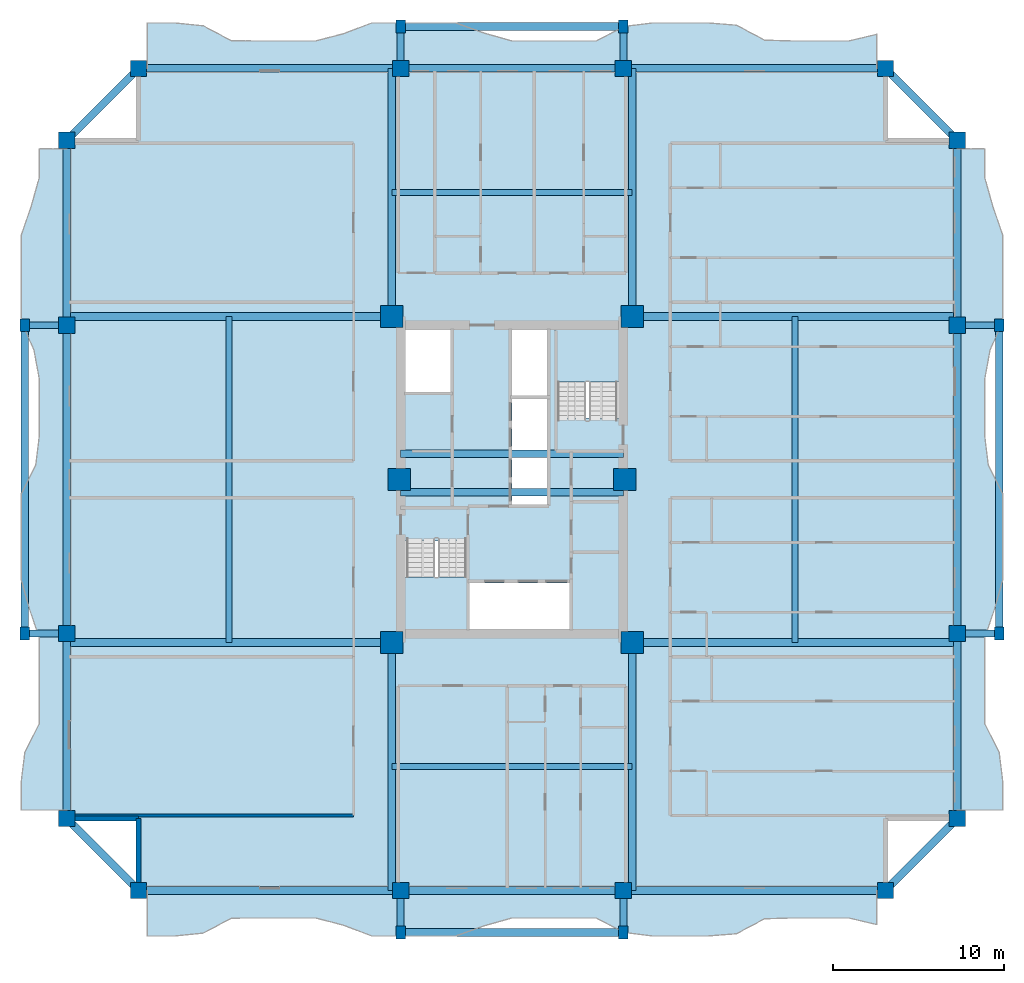
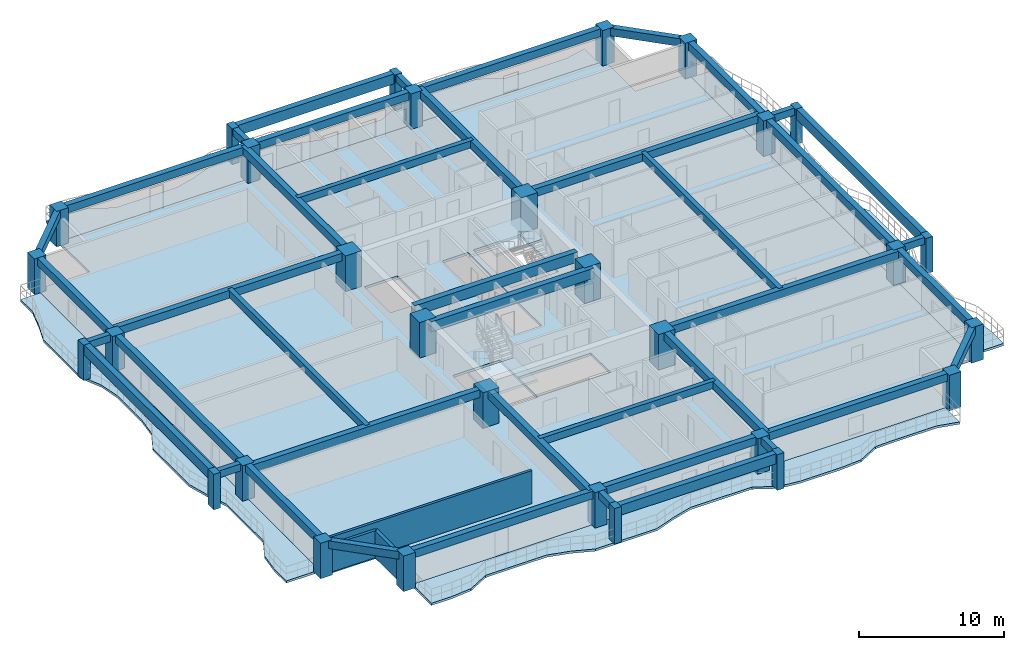
# One storey, part 1 of 12: 42 beams, 30 columns, 7 slabs, 3 walls, 2 elements without a shape of their own.
"""IFC4 building model written with IfcOpenShell, lengths in metres."""

from ifc_helpers import new_model, si_unit, direction, frame, frame_2d, origin, origin_2d, place, context, subcontext, project, spatial, polyline, rectangle, outline, extrude, source, transform, mapped, material, layer, layer_set, material_profile, profile_set, type_object, element, aggregate, save


model = new_model("IFC4")

# Units and contexts
model_context = context("Model", 3, precision=1e-05, world=origin(), true_north=direction((0.0, 1.0)))
body_context = subcontext(model_context, "Body", "Model", "MODEL_VIEW")
ifc_project = project(units=[si_unit("LENGTHUNIT", "METRE"), si_unit("AREAUNIT", "SQUARE_METRE"), si_unit("VOLUMEUNIT", "CUBIC_METRE"), si_unit("PLANEANGLEUNIT", "RADIAN"), si_unit("MASSUNIT", "GRAM", prefix="KILO")], contexts=[model_context])

# Site, building, storey
site_placement = place(None, origin())
site = spatial("IfcSite", under=ifc_project, at=site_placement, CompositionType="ELEMENT")
building_placement = place(site_placement, origin())
building = spatial("IfcBuilding", under=site, at=building_placement, Name="Saelheon Loggia Tower", CompositionType="ELEMENT")
storey_placement = place(building_placement, frame((0.0, 0.0, 95.85009765625)))
storey = spatial("IfcBuildingStorey", under=building, at=storey_placement, Name="L30", CompositionType="ELEMENT", Elevation=95.85009765625)

# Columns
ifc_material_1 = material(Name="Precast Concrete C45/55", Category="concrete")
ifc_material_profile_1 = material_profile(ifc_material_1, rectangle(XDim=0.550048828125, YDim=0.75, at=origin_2d()), Name="RC-550x750")
ifc_profile_set_1 = profile_set([ifc_material_profile_1], Name="Precast Concrete C45/55")
column_type_1 = type_object("IfcColumnType", Name="Col_Loggia_Pilaster_750", PredefinedType="PILASTER", material=ifc_profile_set_1)
shared_shape_1 = source(origin(), body_context, "Body", "SweptSolid", [
    extrude(rectangle(XDim=0.550048828125, YDim=0.75, at=origin_2d()), origin(), (0.0, 0.0, 1.0), 3.0),
])
for number, where, z_axis, x_axis, name in (
    (1, (31.5, 0.550048828125, 0.0), (0.0, 0.0, 1.0), (1.0, 0.0, 0.0), "L30 Loggia Frame Pilaster LP-S1"),
    (2, (44.5, 0.550048828125, 0.0), (0.0, 0.0, 1.0), (1.0, 0.0, 0.0), "L30 Loggia Frame Pilaster LP-S2"),
    (3, (31.5, 53.449951171875, 0.0), (0.0, 0.0, 1.0), (1.0, 0.0, 0.0), "L30 Loggia Frame Pilaster LP-N1"),
    (4, (44.5, 53.449951171875, 0.0), (0.0, 0.0, 1.0), (1.0, 0.0, 0.0), "L30 Loggia Frame Pilaster LP-N2"),
    (5, (66.449951171875, 18.0, 0.0), (0.0, 0.0, 1.0), (1.0, 0.0, 0.0), "L30 Loggia Frame Pilaster LP-E1"),
    (6, (66.449951171875, 36.0, 0.0), (0.0, 0.0, 1.0), (1.0, 0.0, 0.0), "L30 Loggia Frame Pilaster LP-E2"),
    (7, (9.550048828125, 18.0, 0.0), (0.0, 0.0, 1.0), (1.0, 0.0, 0.0), "L30 Loggia Frame Pilaster LP-W1"),
    (8, (9.550048828125, 36.0, 0.0), (0.0, 0.0, 1.0), (1.0, 0.0, 0.0), "L30 Loggia Frame Pilaster LP-W2"),
):
    element("IfcColumn", number, at=place(storey_placement, frame(where, z_axis=z_axis, x_axis=x_axis)), inside=storey, type_object=column_type_1, Name=name, PredefinedType="PILASTER", context=body_context, shape_type="MappedRepresentation", body=[
        mapped(shared_shape_1, transform((0.0, 0.0, 0.0), scale=1.0)),
    ])
ifc_material_2 = material(Name="Concrete C60/75", Category="concrete")
ifc_material_profile_2 = material_profile(ifc_material_2, rectangle(XDim=1.300048828125, YDim=1.300048828125, at=origin_2d()), Name="RC-1300x1300")
ifc_profile_set_2 = profile_set([ifc_material_profile_2], Name="Concrete C60/75")
column_type_2 = type_object("IfcColumnType", Name="Col_Core_RC1300", PredefinedType="COLUMN", material=ifc_profile_set_2)
shared_shape_2 = source(origin(), body_context, "Body", "SweptSolid", [
    extrude(rectangle(XDim=1.300048828125, YDim=1.300048828125, at=origin_2d()), origin(), (0.0, 0.0, 1.0), 3.0),
])
for number, where, z_axis, x_axis, name in (
    (9, (30.97998046875, 17.47998046875, 0.0), (0.0, 0.0, 1.0), (1.0, 0.0, 0.0), "L30 Core Column CR-SW"),
    (10, (45.02001953125, 17.47998046875, 0.0), (0.0, 0.0, 1.0), (1.0, 0.0, 0.0), "L30 Core Column CR-SE"),
    (11, (30.97998046875, 36.52001953125, 0.0), (0.0, 0.0, 1.0), (1.0, 0.0, 0.0), "L30 Core Column CR-NW"),
    (12, (45.02001953125, 36.52001953125, 0.0), (0.0, 0.0, 1.0), (1.0, 0.0, 0.0), "L30 Core Column CR-NE"),
    (13, (31.419921875, 27.0, 0.0), (0.0, 0.0, 1.0), (1.0, 0.0, 0.0), "L30 Core Column CR-MW"),
    (14, (44.580078125, 27.0, 0.0), (0.0, 0.0, 1.0), (1.0, 0.0, 0.0), "L30 Core Column CR-ME"),
):
    element("IfcColumn", number, at=place(storey_placement, frame(where, z_axis=z_axis, x_axis=x_axis)), inside=storey, type_object=column_type_2, Name=name, PredefinedType="COLUMN", context=body_context, shape_type="MappedRepresentation", body=[
        mapped(shared_shape_2, transform((0.0, 0.0, 0.0), scale=1.0)),
    ])
ifc_material_3 = material(Name="Concrete C50/60", Category="concrete")
ifc_material_profile_3 = material_profile(ifc_material_3, rectangle(XDim=0.949951171875, YDim=0.949951171875, at=origin_2d()), Name="RC-950x950")
ifc_profile_set_3 = profile_set([ifc_material_profile_3], Name="Concrete C50/60")
column_type_3 = type_object("IfcColumnType", Name="Col_Perim_RC950", PredefinedType="COLUMN", material=ifc_profile_set_3)
shared_shape_3 = source(origin(), body_context, "Body", "SweptSolid", [
    extrude(rectangle(XDim=0.949951171875, YDim=0.949951171875, at=origin_2d()), origin(), (0.0, 0.0, 1.0), 3.0),
])
for number, where, z_axis, x_axis, name in (
    (15, (16.199951171875, 3.0, 0.0), (0.0, 0.0, 1.0), (1.0, 0.0, 0.0), "L30 Perimeter Column TP-S1"),
    (16, (31.5, 3.0, 0.0), (0.0, 0.0, 1.0), (1.0, 0.0, 0.0), "L30 Perimeter Column TP-SA"),
    (17, (44.5, 3.0, 0.0), (0.0, 0.0, 1.0), (1.0, 0.0, 0.0), "L30 Perimeter Column TP-SB"),
    (18, (59.800048828125, 3.0, 0.0), (0.0, 0.0, 1.0), (1.0, 0.0, 0.0), "L30 Perimeter Column TP-S2"),
    (19, (64.0, 7.199951171875, 0.0), (0.0, 0.0, 1.0), (1.0, 0.0, 0.0), "L30 Perimeter Column TP-E1"),
    (20, (64.0, 18.0, 0.0), (0.0, 0.0, 1.0), (1.0, 0.0, 0.0), "L30 Perimeter Column TP-EA"),
    (21, (64.0, 36.0, 0.0), (0.0, 0.0, 1.0), (1.0, 0.0, 0.0), "L30 Perimeter Column TP-EB"),
    (22, (64.0, 46.800048828125, 0.0), (0.0, 0.0, 1.0), (1.0, 0.0, 0.0), "L30 Perimeter Column TP-E2"),
    (23, (59.800048828125, 51.0, 0.0), (0.0, 0.0, 1.0), (1.0, 0.0, 0.0), "L30 Perimeter Column TP-N2"),
    (24, (44.5, 51.0, 0.0), (0.0, 0.0, 1.0), (1.0, 0.0, 0.0), "L30 Perimeter Column TP-NB"),
    (25, (31.5, 51.0, 0.0), (0.0, 0.0, 1.0), (1.0, 0.0, 0.0), "L30 Perimeter Column TP-NA"),
    (26, (16.199951171875, 51.0, 0.0), (0.0, 0.0, 1.0), (1.0, 0.0, 0.0), "L30 Perimeter Column TP-N1"),
    (27, (12.0, 46.800048828125, 0.0), (0.0, 0.0, 1.0), (1.0, 0.0, 0.0), "L30 Perimeter Column TP-W2"),
    (28, (12.0, 36.0, 0.0), (0.0, 0.0, 1.0), (1.0, 0.0, 0.0), "L30 Perimeter Column TP-WB"),
    (29, (12.0, 18.0, 0.0), (0.0, 0.0, 1.0), (1.0, 0.0, 0.0), "L30 Perimeter Column TP-WA"),
    (30, (12.0, 7.199951171875, 0.0), (0.0, 0.0, 1.0), (1.0, 0.0, 0.0), "L30 Perimeter Column TP-W1"),
):
    element("IfcColumn", number, at=place(storey_placement, frame(where, z_axis=z_axis, x_axis=x_axis)), inside=storey, type_object=column_type_3, Name=name, PredefinedType="COLUMN", context=body_context, shape_type="MappedRepresentation", body=[
        mapped(shared_shape_3, transform((0.0, 0.0, 0.0), scale=1.0)),
    ])

# Beams
ifc_material_profile_4 = material_profile(ifc_material_3, rectangle(XDim=0.449951171875, YDim=0.85009765625, at=origin_2d()), Name="RC-450x850")
ifc_profile_set_4 = profile_set([ifc_material_profile_4], Name="Concrete C50/60")
beam_type_1 = type_object("IfcBeamType", Name="Beam_CoreLintel_RC450x850", PredefinedType="LINTEL", material=ifc_profile_set_4)
shared_shape_4 = source(origin(), body_context, "Body", "SweptSolid", [
    extrude(rectangle(XDim=0.449951171875, YDim=0.85009765625, at=origin_2d()), origin(), (0.0, 0.0, 1.0), 13.0),
])
for number, where, z_axis, x_axis, name in (
    (31, (31.5, 26.25, 2.574951171875), (1.0, 0.0, 0.0), (0.0, 1.0, 0.0), "L30 Core Coupling Lintel 1"),
    (32, (31.5, 28.5, 2.574951171875), (1.0, 0.0, 0.0), (0.0, 1.0, 0.0), "L30 Core Coupling Lintel 2"),
):
    element("IfcBeam", number, at=place(storey_placement, frame(where, z_axis=z_axis, x_axis=x_axis)), inside=storey, type_object=beam_type_1, Name=name, PredefinedType="LINTEL", context=body_context, shape_type="MappedRepresentation", body=[
        mapped(shared_shape_4, transform((0.0, 0.0, 0.0), scale=1.0)),
    ])
ifc_material_profile_5 = material_profile(ifc_material_1, rectangle(XDim=0.449951171875, YDim=0.85009765625, at=origin_2d()), Name="RC-450x850")
ifc_profile_set_5 = profile_set([ifc_material_profile_5], Name="Precast Concrete C45/55")
beam_type_2 = type_object("IfcBeamType", Name="Beam_LoggiaSpandrel_RC450x850", PredefinedType="SPANDREL", material=ifc_profile_set_5)
for number, where, z_axis, x_axis, name in (
    (33, (31.5, 0.550048828125, 2.574951171875), (1.0, 0.0, 0.0), (0.0, 1.0, 0.0), "L30 Loggia Spandrel Beam S"),
    (34, (31.5, 53.449951171875, 2.574951171875), (1.0, 0.0, 0.0), (0.0, 1.0, 0.0), "L30 Loggia Spandrel Beam N"),
):
    element("IfcBeam", number, at=place(storey_placement, frame(where, z_axis=z_axis, x_axis=x_axis)), inside=storey, type_object=beam_type_2, Name=name, PredefinedType="SPANDREL", context=body_context, shape_type="MappedRepresentation", body=[
        mapped(shared_shape_4, transform((0.0, 0.0, 0.0), scale=1.0)),
    ])
ifc_material_profile_6 = material_profile(ifc_material_1, rectangle(XDim=0.39990234375, YDim=0.60009765625, at=origin_2d()), Name="RC-400x600")
ifc_profile_set_6 = profile_set([ifc_material_profile_6], Name="Precast Concrete C45/55")
beam_type_3 = type_object("IfcBeamType", Name="Beam_LoggiaTie_RC400x600", PredefinedType="BEAM", material=ifc_profile_set_6)
shared_shape_5 = source(origin(), body_context, "Body", "SweptSolid", [
    extrude(rectangle(XDim=0.39990234375, YDim=0.60009765625, at=origin_2d()), origin(), (0.0, 0.0, 1.0), 2.449951171875),
])
for number, where, z_axis, x_axis, name in (
    (35, (31.5, 3.0, 2.699951171875), (0.0, -1.0, 0.0), (1.0, 0.0, 0.0), "L30 Loggia Frame Tie Beam LP-S1"),
    (36, (44.5, 3.0, 2.699951171875), (0.0, -1.0, 0.0), (1.0, 0.0, 0.0), "L30 Loggia Frame Tie Beam LP-S2"),
    (37, (31.5, 51.0, 2.699951171875), (0.0, 1.0, 0.0), (-1.0, 0.0, 0.0), "L30 Loggia Frame Tie Beam LP-N1"),
    (38, (44.5, 51.0, 2.699951171875), (0.0, 1.0, 0.0), (-1.0, 0.0, 0.0), "L30 Loggia Frame Tie Beam LP-N2"),
    (39, (64.0, 18.0, 2.699951171875), (1.0, 0.0, 0.0), (0.0, 1.0, 0.0), "L30 Loggia Frame Tie Beam LP-E1"),
    (40, (64.0, 36.0, 2.699951171875), (1.0, 0.0, 0.0), (0.0, 1.0, 0.0), "L30 Loggia Frame Tie Beam LP-E2"),
    (41, (12.0, 18.0, 2.699951171875), (-1.0, 0.0, 0.0), (0.0, -1.0, 0.0), "L30 Loggia Frame Tie Beam LP-W1"),
    (42, (12.0, 36.0, 2.699951171875), (-1.0, 0.0, 0.0), (0.0, -1.0, 0.0), "L30 Loggia Frame Tie Beam LP-W2"),
):
    element("IfcBeam", number, at=place(storey_placement, frame(where, z_axis=z_axis, x_axis=x_axis)), inside=storey, type_object=beam_type_3, Name=name, PredefinedType="BEAM", context=body_context, shape_type="MappedRepresentation", body=[
        mapped(shared_shape_5, transform((0.0, 0.0, 0.0), scale=1.0)),
    ])
shared_shape_6 = source(origin(), body_context, "Body", "SweptSolid", [
    extrude(rectangle(XDim=0.449951171875, YDim=0.85009765625, at=origin_2d()), origin(), (0.0, 0.0, 1.0), 18.0),
])
for number, where, z_axis, x_axis, name in (
    (43, (66.449951171875, 18.0, 2.574951171875), (0.0, 1.0, 0.0), (-1.0, 0.0, 0.0), "L30 Loggia Spandrel Beam E"),
    (44, (9.550048828125, 18.0, 2.574951171875), (0.0, 1.0, 0.0), (-1.0, 0.0, 0.0), "L30 Loggia Spandrel Beam W"),
):
    element("IfcBeam", number, at=place(storey_placement, frame(where, z_axis=z_axis, x_axis=x_axis)), inside=storey, type_object=beam_type_2, Name=name, PredefinedType="SPANDREL", context=body_context, shape_type="MappedRepresentation", body=[
        mapped(shared_shape_6, transform((0.0, 0.0, 0.0), scale=1.0)),
    ])
ifc_material_4 = material(Name="Concrete C45/55", Category="concrete")
ifc_material_profile_7 = material_profile(ifc_material_4, rectangle(XDim=0.35009765625, YDim=0.60009765625, at=origin_2d()), Name="RC-350x600")
ifc_profile_set_7 = profile_set([ifc_material_profile_7], Name="Concrete C45/55")
beam_type_4 = type_object("IfcBeamType", Name="Beam_AmenityJoist_RC350x600", PredefinedType="JOIST", material=ifc_profile_set_7)
shared_shape_7 = source(origin(), body_context, "Body", "SweptSolid", [
    extrude(rectangle(XDim=0.35009765625, YDim=0.60009765625, at=origin_2d()), origin(), (0.0, 0.0, 1.0), 14.0400390625),
])
for number, where, z_axis, x_axis, name in (
    (45, (30.97998046875, 10.239990234375, 2.699951171875), (1.0, 0.0, 0.0), (0.0, 1.0, 0.0), "L30 South Floor Joist"),
    (46, (30.97998046875, 43.760009765625, 2.699951171875), (1.0, 0.0, 0.0), (0.0, 1.0, 0.0), "L30 North Floor Joist"),
):
    element("IfcBeam", number, at=place(storey_placement, frame(where, z_axis=z_axis, x_axis=x_axis)), inside=storey, type_object=beam_type_4, Name=name, PredefinedType="JOIST", context=body_context, shape_type="MappedRepresentation", body=[
        mapped(shared_shape_7, transform((0.0, 0.0, 0.0), scale=1.0)),
    ])
shared_shape_8 = source(origin(), body_context, "Body", "SweptSolid", [
    extrude(rectangle(XDim=0.35009765625, YDim=0.60009765625, at=origin_2d()), origin(), (0.0, 0.0, 1.0), 19.0400390625),
])
for number, where, z_axis, x_axis, name in (
    (47, (21.489990234375, 17.47998046875, 2.699951171875), (0.0, 1.0, 0.0), (-1.0, 0.0, 0.0), "L30 West Floor Joist"),
    (48, (54.510009765625, 17.47998046875, 2.699951171875), (0.0, 1.0, 0.0), (-1.0, 0.0, 0.0), "L30 East Floor Joist"),
):
    element("IfcBeam", number, at=place(storey_placement, frame(where, z_axis=z_axis, x_axis=x_axis)), inside=storey, type_object=beam_type_4, Name=name, PredefinedType="JOIST", context=body_context, shape_type="MappedRepresentation", body=[
        mapped(shared_shape_8, transform((0.0, 0.0, 0.0), scale=1.0)),
    ])
ifc_material_5 = material(Name="Concrete C40/50", Category="concrete")
ifc_material_profile_8 = material_profile(ifc_material_5, rectangle(XDim=0.449951171875, YDim=0.64990234375, at=origin_2d()), Name="RC-450x650")
ifc_profile_set_8 = profile_set([ifc_material_profile_8], Name="Concrete C40/50")
beam_type_5 = type_object("IfcBeamType", Name="Beam_PerimTower_RC450x650", PredefinedType="BEAM", material=ifc_profile_set_8)
shared_shape_9 = source(origin(), body_context, "Body", "SweptSolid", [
    extrude(rectangle(XDim=0.449951171875, YDim=0.64990234375, at=origin_2d()), origin(), (0.0, 0.0, 1.0), 15.300048828125),
])
for number, where, z_axis, x_axis, name in (
    (49, (16.199951171875, 3.0, 2.6748046875), (1.0, 0.0, 0.0), (0.0, 1.0, 0.0), "L30 Perimeter Frame Girder 01"),
    (50, (44.5, 3.0, 2.6748046875), (1.0, 0.0, 0.0), (0.0, 1.0, 0.0), "L30 Perimeter Frame Girder 03"),
    (51, (59.800048828125, 51.0, 2.6748046875), (-1.0, 0.0, 0.0), (0.0, -1.0, 0.0), "L30 Perimeter Frame Girder 09"),
    (52, (31.5, 51.0, 2.6748046875), (-1.0, 0.0, 0.0), (0.0, -1.0, 0.0), "L30 Perimeter Frame Girder 11"),
):
    element("IfcBeam", number, at=place(storey_placement, frame(where, z_axis=z_axis, x_axis=x_axis)), inside=storey, type_object=beam_type_5, Name=name, PredefinedType="BEAM", context=body_context, shape_type="MappedRepresentation", body=[
        mapped(shared_shape_9, transform((0.0, 0.0, 0.0), scale=1.0)),
    ])
shared_shape_10 = source(origin(), body_context, "Body", "SweptSolid", [
    extrude(rectangle(XDim=0.449951171875, YDim=0.64990234375, at=origin_2d()), origin(), (0.0, 0.0, 1.0), 13.0),
])
for number, where, z_axis, x_axis, name in (
    (53, (31.5, 3.0, 2.6748046875), (1.0, 0.0, 0.0), (0.0, 1.0, 0.0), "L30 Perimeter Frame Girder 02"),
    (54, (44.5, 51.0, 2.6748046875), (-1.0, 0.0, 0.0), (0.0, -1.0, 0.0), "L30 Perimeter Frame Girder 10"),
):
    element("IfcBeam", number, at=place(storey_placement, frame(where, z_axis=z_axis, x_axis=x_axis)), inside=storey, type_object=beam_type_5, Name=name, PredefinedType="BEAM", context=body_context, shape_type="MappedRepresentation", body=[
        mapped(shared_shape_10, transform((0.0, 0.0, 0.0), scale=1.0)),
    ])
shared_shape_11 = source(origin(), body_context, "Body", "SweptSolid", [
    extrude(rectangle(XDim=0.449951171875, YDim=0.64990234375, at=origin_2d()), origin(), (0.0, 0.0, 1.0), 5.939697265625),
])
for number, where, z_axis, x_axis, name in (
    (55, (59.800048828125, 3.0, 2.6748046875), (0.707106781187, 0.707106781187, 0.0), (-0.707106781187, 0.707106781187, 0.0), "L30 Perimeter Frame Girder 04"),
    (56, (64.0, 46.800048828125, 2.6748046875), (-0.707106781187, 0.707106781187, 0.0), (-0.707106781187, -0.707106781187, 0.0), "L30 Perimeter Frame Girder 08"),
    (57, (16.199951171875, 51.0, 2.6748046875), (-0.707106781187, -0.707106781187, 0.0), (0.707106781187, -0.707106781187, 0.0), "L30 Perimeter Frame Girder 12"),
    (58, (12.0, 7.199951171875, 2.6748046875), (0.707106781187, -0.707106781187, 0.0), (0.707106781187, 0.707106781187, 0.0), "L30 Perimeter Frame Girder 16"),
):
    element("IfcBeam", number, at=place(storey_placement, frame(where, z_axis=z_axis, x_axis=x_axis)), inside=storey, type_object=beam_type_5, Name=name, PredefinedType="BEAM", context=body_context, shape_type="MappedRepresentation", body=[
        mapped(shared_shape_11, transform((0.0, 0.0, 0.0), scale=1.0)),
    ])
shared_shape_12 = source(origin(), body_context, "Body", "SweptSolid", [
    extrude(rectangle(XDim=0.449951171875, YDim=0.64990234375, at=origin_2d()), origin(), (0.0, 0.0, 1.0), 10.800048828125),
])
for number, where, z_axis, x_axis, name in (
    (59, (64.0, 7.199951171875, 2.6748046875), (0.0, 1.0, 0.0), (-1.0, 0.0, 0.0), "L30 Perimeter Frame Girder 05"),
    (60, (64.0, 36.0, 2.6748046875), (0.0, 1.0, 0.0), (-1.0, 0.0, 0.0), "L30 Perimeter Frame Girder 07"),
    (61, (12.0, 46.800048828125, 2.6748046875), (0.0, -1.0, 0.0), (1.0, 0.0, 0.0), "L30 Perimeter Frame Girder 13"),
    (62, (12.0, 18.0, 2.6748046875), (0.0, -1.0, 0.0), (1.0, 0.0, 0.0), "L30 Perimeter Frame Girder 15"),
):
    element("IfcBeam", number, at=place(storey_placement, frame(where, z_axis=z_axis, x_axis=x_axis)), inside=storey, type_object=beam_type_5, Name=name, PredefinedType="BEAM", context=body_context, shape_type="MappedRepresentation", body=[
        mapped(shared_shape_12, transform((0.0, 0.0, 0.0), scale=1.0)),
    ])
shared_shape_13 = source(origin(), body_context, "Body", "SweptSolid", [
    extrude(rectangle(XDim=0.449951171875, YDim=0.64990234375, at=origin_2d()), origin(), (0.0, 0.0, 1.0), 18.0),
])
for number, where, z_axis, x_axis, name in (
    (63, (64.0, 18.0, 2.6748046875), (0.0, 1.0, 0.0), (-1.0, 0.0, 0.0), "L30 Perimeter Frame Girder 06"),
    (64, (12.0, 36.0, 2.6748046875), (0.0, -1.0, 0.0), (1.0, 0.0, 0.0), "L30 Perimeter Frame Girder 14"),
):
    element("IfcBeam", number, at=place(storey_placement, frame(where, z_axis=z_axis, x_axis=x_axis)), inside=storey, type_object=beam_type_5, Name=name, PredefinedType="BEAM", context=body_context, shape_type="MappedRepresentation", body=[
        mapped(shared_shape_13, transform((0.0, 0.0, 0.0), scale=1.0)),
    ])
ifc_material_profile_9 = material_profile(ifc_material_5, rectangle(XDim=0.449951171875, YDim=0.64990234375, at=origin_2d()), Name="RC-450x650")
ifc_profile_set_9 = profile_set([ifc_material_profile_9], Name="Concrete C40/50")
beam_type_6 = type_object("IfcBeamType", Name="Beam_TowerGirder_RC450x650", PredefinedType="BEAM", material=ifc_profile_set_9)
shared_shape_14 = source(origin(), body_context, "Body", "SweptSolid", [
    extrude(rectangle(XDim=0.449951171875, YDim=0.64990234375, at=origin_2d()), origin(), (0.0, 0.0, 1.0), 14.47998046875),
])
for number, where, z_axis, x_axis, name in (
    (65, (30.97998046875, 17.47998046875, 2.6748046875), (0.0, -1.0, 0.0), (1.0, 0.0, 0.0), "L30 Radial Floor Girder RAD-SW-S"),
    (66, (45.02001953125, 17.47998046875, 2.6748046875), (0.0, -1.0, 0.0), (1.0, 0.0, 0.0), "L30 Radial Floor Girder RAD-SE-S"),
    (67, (30.97998046875, 36.52001953125, 2.6748046875), (0.0, 1.0, 0.0), (-1.0, 0.0, 0.0), "L30 Radial Floor Girder RAD-NW-N"),
    (68, (45.02001953125, 36.52001953125, 2.6748046875), (0.0, 1.0, 0.0), (-1.0, 0.0, 0.0), "L30 Radial Floor Girder RAD-NE-N"),
):
    element("IfcBeam", number, at=place(storey_placement, frame(where, z_axis=z_axis, x_axis=x_axis)), inside=storey, type_object=beam_type_6, Name=name, PredefinedType="BEAM", context=body_context, shape_type="MappedRepresentation", body=[
        mapped(shared_shape_14, transform((0.0, 0.0, 0.0), scale=1.0)),
    ])
shared_shape_15 = source(origin(), body_context, "Body", "SweptSolid", [
    extrude(rectangle(XDim=0.449951171875, YDim=0.64990234375, at=origin_2d()), origin(), (0.0, 0.0, 1.0), 18.97998046875),
])
for number, where, z_axis, x_axis, name in (
    (69, (30.97998046875, 17.47998046875, 2.6748046875), (-1.0, 0.0, 0.0), (0.0, -1.0, 0.0), "L30 Radial Floor Girder RAD-SW-W"),
    (70, (30.97998046875, 36.52001953125, 2.6748046875), (-1.0, 0.0, 0.0), (0.0, -1.0, 0.0), "L30 Radial Floor Girder RAD-NW-W"),
    (71, (45.02001953125, 17.47998046875, 2.6748046875), (1.0, 0.0, 0.0), (0.0, 1.0, 0.0), "L30 Radial Floor Girder RAD-SE-E"),
    (72, (45.02001953125, 36.52001953125, 2.6748046875), (1.0, 0.0, 0.0), (0.0, 1.0, 0.0), "L30 Radial Floor Girder RAD-NE-E"),
):
    element("IfcBeam", number, at=place(storey_placement, frame(where, z_axis=z_axis, x_axis=x_axis)), inside=storey, type_object=beam_type_6, Name=name, PredefinedType="BEAM", context=body_context, shape_type="MappedRepresentation", body=[
        mapped(shared_shape_15, transform((0.0, 0.0, 0.0), scale=1.0)),
    ])

# Slabs
ifc_layer_1 = layer(ifc_material_1, 0.18994140625)
ifc_layer_set_1 = layer_set([ifc_layer_1], Name="Precast Concrete C45/55")
slab_type_1 = type_object("IfcSlabType", Name="Slab_Loggia_Ext_190", PredefinedType="FLOOR", material=ifc_layer_set_1)
slab_1_placement = place(storey_placement, frame((0.0, 0.0, -0.190185546875)))
element("IfcSlab", 73, at=slab_1_placement, inside=storey, type_object=slab_type_1, Name="L30 Loggia Balcony Slab S", PredefinedType="FLOOR", context=body_context, shape_type="SweptSolid", body=[
    extrude(outline(polyline([(16.699951171875, 0.35009765625), (18.33837890625, 0.35009765625), (19.976806640625, 0.514892578125), (21.615478515625, 1.38671875), (23.25390625, 1.39990234375), (24.892333984375, 1.39990234375), (26.53076171875, 1.39990234375), (28.169189453125, 0.975341796875), (29.8076171875, 0.35009765625), (31.4462890625, 0.35009765625), (33.084716796875, 0.35009765625), (34.72314453125, 0.35009765625), (36.361572265625, 0.937744140625), (38.0, 1.39990234375), (39.638427734375, 1.39990234375), (41.27685546875, 1.39990234375), (42.915283203125, 1.39990234375), (44.5537109375, 0.55126953125), (46.1923828125, 0.35009765625), (47.830810546875, 0.35009765625), (49.46923828125, 0.35009765625), (51.107666015625, 0.478515625), (52.74609375, 1.35205078125), (54.384521484375, 1.39990234375), (56.023193359375, 1.39990234375), (57.66162109375, 1.39990234375), (59.300048828125, 1.0126953125), (59.300048828125, 3.0), (16.699951171875, 3.0), (16.699951171875, 0.35009765625)])), origin(), (0.0, 0.0, 1.0), 0.190185546875),
])
slab_2_placement = place(storey_placement, frame((0.0, 0.0, -0.190185546875)))
element("IfcSlab", 74, at=slab_2_placement, inside=storey, type_object=slab_type_1, Name="L30 Loggia Balcony Slab N", PredefinedType="FLOOR", context=body_context, shape_type="SweptSolid", body=[
    extrude(outline(polyline([(16.699951171875, 51.0), (59.300048828125, 51.0), (59.300048828125, 52.9873046875), (57.66162109375, 52.60009765625), (56.023193359375, 52.60009765625), (54.384521484375, 52.60009765625), (52.74609375, 52.64794921875), (51.107666015625, 53.521484375), (49.46923828125, 53.64990234375), (47.830810546875, 53.64990234375), (46.1923828125, 53.64990234375), (44.5537109375, 53.44873046875), (42.915283203125, 52.60009765625), (41.27685546875, 52.60009765625), (39.638427734375, 52.60009765625), (38.0, 52.60009765625), (36.361572265625, 53.062255859375), (34.72314453125, 53.64990234375), (33.084716796875, 53.64990234375), (31.4462890625, 53.64990234375), (29.8076171875, 53.64990234375), (28.169189453125, 53.024658203125), (26.53076171875, 52.60009765625), (24.892333984375, 52.60009765625), (23.25390625, 52.60009765625), (21.615478515625, 52.61328125), (19.976806640625, 53.485107421875), (18.33837890625, 53.64990234375), (16.699951171875, 53.64990234375), (16.699951171875, 51.0)])), origin(), (0.0, 0.0, 1.0), 0.190185546875),
])
slab_3_placement = place(storey_placement, frame((0.0, 0.0, -0.190185546875)))
element("IfcSlab", 75, at=slab_3_placement, inside=storey, type_object=slab_type_1, Name="L30 Loggia Balcony Slab E", PredefinedType="FLOOR", context=body_context, shape_type="SweptSolid", body=[
    extrude(outline(polyline([(64.0, 7.699951171875), (66.64990234375, 7.699951171875), (66.64990234375, 9.37841796875), (66.443115234375, 11.056396484375), (65.60009765625, 12.73486328125), (65.60009765625, 14.4130859375), (65.60009765625, 16.09130859375), (65.60009765625, 17.76953125), (66.176025390625, 19.44775390625), (66.64990234375, 21.126220703125), (66.64990234375, 22.80419921875), (66.64990234375, 24.482666015625), (66.64990234375, 26.160888671875), (65.806396484375, 27.839111328125), (65.60009765625, 29.517333984375), (65.60009765625, 31.19580078125), (65.60009765625, 32.873779296875), (65.90771484375, 34.55224609375), (66.64990234375, 36.23046875), (66.64990234375, 37.90869140625), (66.64990234375, 39.5869140625), (66.64990234375, 41.26513671875), (66.072021484375, 42.943603515625), (65.60009765625, 44.62158203125), (65.60009765625, 46.300048828125), (64.0, 46.300048828125), (64.0, 7.699951171875)])), origin(), (0.0, 0.0, 1.0), 0.190185546875),
])
slab_4_placement = place(storey_placement, frame((0.0, 0.0, -0.190185546875)))
element("IfcSlab", 76, at=slab_4_placement, inside=storey, type_object=slab_type_1, Name="L30 Loggia Balcony Slab W", PredefinedType="FLOOR", context=body_context, shape_type="SweptSolid", body=[
    extrude(outline(polyline([(12.0, 7.699951171875), (12.0, 46.300048828125), (10.39990234375, 46.300048828125), (10.39990234375, 44.62158203125), (9.927978515625, 42.943603515625), (9.35009765625, 41.26513671875), (9.35009765625, 39.5869140625), (9.35009765625, 37.90869140625), (9.35009765625, 36.23046875), (10.09228515625, 34.55224609375), (10.39990234375, 32.873779296875), (10.39990234375, 31.19580078125), (10.39990234375, 29.517333984375), (10.193603515625, 27.839111328125), (9.35009765625, 26.160888671875), (9.35009765625, 24.482666015625), (9.35009765625, 22.80419921875), (9.35009765625, 21.126220703125), (9.823974609375, 19.44775390625), (10.39990234375, 17.76953125), (10.39990234375, 16.09130859375), (10.39990234375, 14.4130859375), (10.39990234375, 12.73486328125), (9.556884765625, 11.056396484375), (9.35009765625, 9.37841796875), (9.35009765625, 7.699951171875), (12.0, 7.699951171875)])), origin(), (0.0, 0.0, 1.0), 0.190185546875),
])

# Stair, slab
stair_type = type_object("IfcStairType", Name="Stair_Escape_Core", PredefinedType="HALF_TURN_STAIR", material=ifc_material_5)
stair_1_placement = place(storey_placement, origin())
stair_1 = element("IfcStair", 77, at=stair_1_placement, inside=storey, type_object=stair_type, Name="L30 Special Escape Stair ST1", PredefinedType="HALF_TURN_STAIR")
ifc_layer_2 = layer(ifc_material_5, 0.199951171875)
ifc_layer_set_2 = layer_set([ifc_layer_2], Name="Concrete C40/50")
slab_type_2 = type_object("IfcSlabType", Name="Slab_StairLanding_ST1", PredefinedType="LANDING", material=ifc_layer_set_2)
slab_5_placement = place(storey_placement, frame((0.0, 0.0, 1.2998046875)))
slab_5 = element("IfcSlab", 78, at=slab_5_placement, type_object=slab_type_2, Name="ST1 landing 1", PredefinedType="LANDING", context=body_context, shape_type="SweptSolid", body=[
    extrude(outline(polyline([(31.7099609375, 21.31005859375), (31.7099609375, 18.2099609375), (35.469970703125, 18.2099609375), (35.469970703125, 21.31005859375), (31.7099609375, 21.31005859375)])), origin(), (0.0, 0.0, 1.0), 0.2001953125),
])
aggregate(stair_1, [slab_5])

stair_2_placement = place(storey_placement, origin())
stair_2 = element("IfcStair", 79, at=stair_2_placement, inside=storey, type_object=stair_type, Name="L30 Special Escape Stair ST2", PredefinedType="HALF_TURN_STAIR")
ifc_layer_3 = layer(ifc_material_5, 0.199951171875)
ifc_layer_set_3 = layer_set([ifc_layer_3], Name="Concrete C40/50")
slab_type_3 = type_object("IfcSlabType", Name="Slab_StairLanding_ST2", PredefinedType="LANDING", material=ifc_layer_set_3)
slab_6_placement = place(storey_placement, frame((0.0, 0.0, 1.2998046875)))
slab_6 = element("IfcSlab", 80, at=slab_6_placement, type_object=slab_type_3, Name="ST2 landing 1", PredefinedType="LANDING", context=body_context, shape_type="SweptSolid", body=[
    extrude(outline(polyline([(44.2900390625, 32.68994140625), (44.2900390625, 35.7900390625), (40.530029296875, 35.7900390625), (40.530029296875, 32.68994140625), (44.2900390625, 32.68994140625)])), origin(), (0.0, 0.0, 1.0), 0.2001953125),
])
aggregate(stair_2, [slab_6])

# Slab
ifc_layer_4 = layer(ifc_material_5, 0.2099609375)
ifc_layer_set_4 = layer_set([ifc_layer_4], Name="Concrete C40/50")
slab_type_4 = type_object("IfcSlabType", Name="Slab_Tower_210", PredefinedType="FLOOR", material=ifc_layer_set_4)
slab_7_placement = place(storey_placement, frame((0.0, 0.0, -0.210205078125)))
element("IfcSlab", 81, at=slab_7_placement, inside=storey, type_object=slab_type_4, Name="L30 Tower Floor Slab", PredefinedType="FLOOR", context=body_context, shape_type="SweptSolid", body=[
    extrude(outline(polyline([(16.199951171875, 3.0), (59.800048828125, 3.0), (59.800048828125, 7.199951171875), (64.0, 7.199951171875), (64.0, 46.800048828125), (59.800048828125, 46.800048828125), (59.800048828125, 51.0), (16.199951171875, 51.0), (16.199951171875, 46.800048828125), (12.0, 46.800048828125), (12.0, 7.199951171875), (16.199951171875, 7.199951171875), (16.199951171875, 3.0)]), holes=[polyline([(31.699951171875, 23.409912109375), (31.699951171875, 18.199951171875), (35.47998046875, 18.199951171875), (35.47998046875, 23.409912109375), (31.699951171875, 23.409912109375)]), polyline([(44.300048828125, 30.590087890625), (44.300048828125, 35.800048828125), (40.52001953125, 35.800048828125), (40.52001953125, 30.590087890625), (44.300048828125, 30.590087890625)]), polyline([(35.530029296875, 18.27490234375), (41.35009765625, 18.27490234375), (41.35009765625, 20.9599609375), (35.530029296875, 20.9599609375), (35.530029296875, 18.27490234375)]), polyline([(31.77490234375, 32.1201171875), (34.419921875, 32.1201171875), (34.419921875, 35.72509765625), (31.77490234375, 35.72509765625), (31.77490234375, 32.1201171875)]), polyline([(38.0, 31.89990234375), (40.050048828125, 31.89990234375), (40.050048828125, 35.72509765625), (38.0, 35.72509765625), (38.0, 31.89990234375)]), polyline([(38.0, 25.5400390625), (40.050048828125, 25.5400390625), (40.050048828125, 31.699951171875), (38.0, 31.699951171875), (38.0, 25.5400390625)])]), origin(), (0.0, 0.0, 1.0), 0.210205078125),
])

# Walls
ifc_material_6 = material(Name="Architectural Precast Concrete C40/50", Category="concrete")
ifc_layer_5 = layer(ifc_material_6, 0.280029296875)
ifc_layer_set_5 = layer_set([ifc_layer_5], Name="Architectural Precast Concrete C40/50")
wall_type_1 = type_object("IfcWallType", Name="Wall_Ext_Loggia_280", PredefinedType="SOLIDWALL", material=ifc_layer_set_5)
for number, where, z_axis, x_axis, name in (
    (82, (16.199951171875, 3.080078125, 0.0), (0.0, 0.0, 1.0), (0.0, 1.0, 0.0), "L30 Corner Notch Precast Wall SW1"),
    (83, (12.080078125, 7.199951171875, 0.0), (0.0, 0.0, 1.0), (1.0, 0.0, 0.0), "L30 Corner Notch Precast Wall SW2"),
):
    element("IfcWall", number, at=place(storey_placement, frame(where, z_axis=z_axis, x_axis=x_axis)), inside=storey, type_object=wall_type_1, Name=name, PredefinedType="SOLIDWALL", context=body_context, shape_type="SweptSolid", body=[
        extrude(rectangle(XDim=4.119873046875, YDim=0.280029296875, at=frame_2d((2.06005859375, 0.0))), origin(), (0.0, 0.0, 1.0), 2.27978515625),
    ])
ifc_material_7 = material(Name="Double Acoustic Stud and Fireboard Partition", Category="gypsum")
ifc_layer_6 = layer(ifc_material_7, 0.199951171875)
ifc_layer_set_6 = layer_set([ifc_layer_6], Name="Double Acoustic Stud and Fireboard Partition")
wall_type_2 = type_object("IfcWallType", Name="Wall_Party_200", PredefinedType="PARTITIONING", material=ifc_layer_set_6)
wall_placement = place(storey_placement, frame((28.75, 7.3798828125, 0.0), z_axis=(0.0, 0.0, 1.0), x_axis=(-1.0, 0.0, 0.0)))
element("IfcWall", 84, at=wall_placement, inside=storey, type_object=wall_type_2, Name="L30 WS Partition U01", PredefinedType="PARTITIONING", context=body_context, shape_type="SweptSolid", body=[
    extrude(rectangle(XDim=16.60009765625, YDim=0.199951171875, at=frame_2d((8.300048828125, 0.0))), origin(), (0.0, 0.0, 1.0), 2.789794921875),
])

save(model, "model.ifc")
